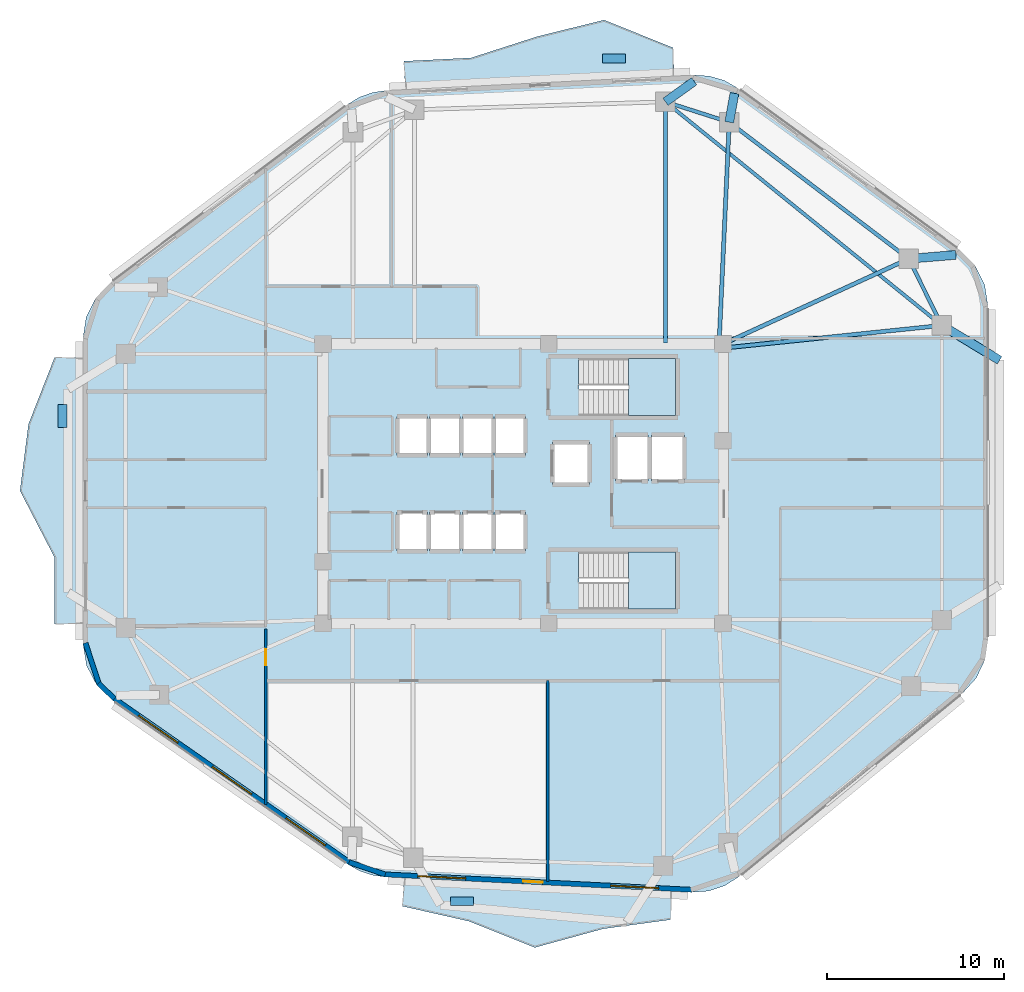
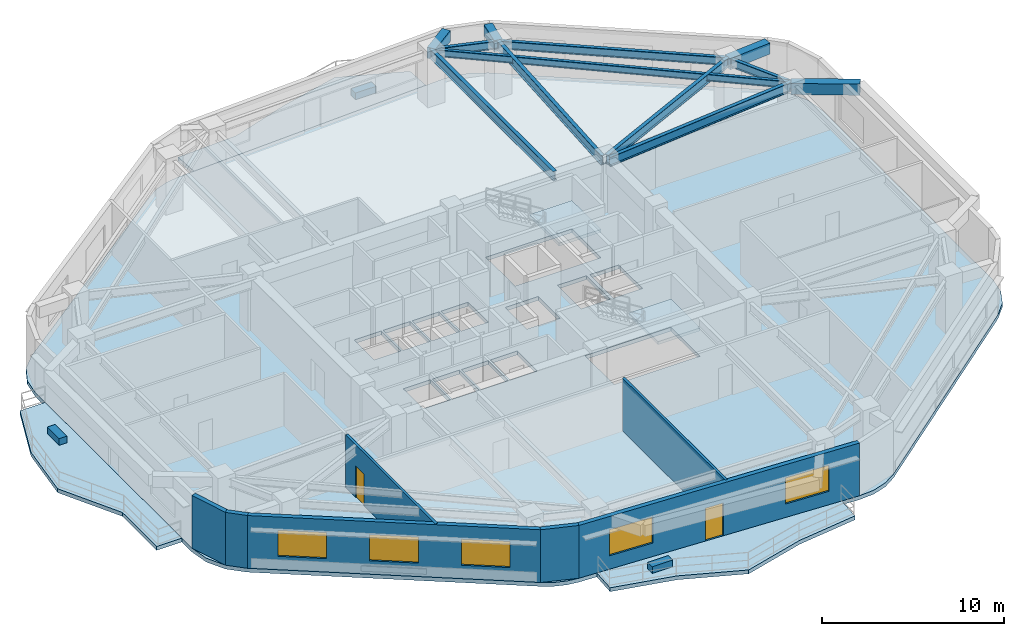
# One storey, part 2 of 9: 12 beams, 7 walls, 6 slabs, 5 windows, 3 plates, 2 doors, 7 openings, 2 elements without a shape of their own.
"""IFC4 building model written with IfcOpenShell, lengths in metres."""

from ifc_helpers import new_model, si_unit, direction, frame, frame_2d, origin, origin_2d, place, context, subcontext, project, spatial, polyline, rectangle, i_section, outline, extrude, material, layer, layer_set, material_profile, profile_set, type_object, element, fill, aggregate, save


model = new_model("IFC4")

# Units and contexts
model_context = context("Model", 3, precision=1e-05, world=origin(), true_north=direction((0.0, 1.0)))
body_context = subcontext(model_context, "Body", "Model", "MODEL_VIEW")
ifc_project = project(units=[si_unit("LENGTHUNIT", "METRE"), si_unit("AREAUNIT", "SQUARE_METRE"), si_unit("VOLUMEUNIT", "CUBIC_METRE"), si_unit("PLANEANGLEUNIT", "RADIAN"), si_unit("MASSUNIT", "GRAM", prefix="KILO")], contexts=[model_context])

# Site, building, storey
site_placement = place(None, origin())
site = spatial("IfcSite", under=ifc_project, at=site_placement, CompositionType="ELEMENT")
building_placement = place(site_placement, origin())
building = spatial("IfcBuilding", under=site, at=building_placement, Name="Zulverin Broadcast Headquarters", CompositionType="ELEMENT")
storey_placement = place(building_placement, frame((0.0, 0.0, 144.0)))
storey = spatial("IfcBuildingStorey", under=building, at=storey_placement, Name="L36", CompositionType="ELEMENT", Elevation=144.0)

# Beams
ifc_material_1 = material(Name="Concrete C40/50", Category="concrete")
ifc_material_profile_1 = material_profile(ifc_material_1, rectangle(XDim=0.5, YDim=0.75, at=origin_2d()), Name="Concrete C40/50", Category="concrete")
ifc_profile_set_1 = profile_set([ifc_material_profile_1], Name="Concrete C40/50")
beam_type_1 = type_object("IfcBeamType", Name="BM-RC-500x750", PredefinedType="BEAM", material=ifc_profile_set_1)
beam_1_placement = place(storey_placement, frame((58.738037109375, 37.877685546875, 3.1650390625), z_axis=(0.996584209885, 0.082582762173, 0.0), x_axis=(-0.082582762173, 0.996584209885, 0.0)))
element("IfcBeam", 1, at=beam_1_placement, inside=storey, type_object=beam_type_1, Name="L37 Plate Overhang Back-Spanned Beam OVR-07", PredefinedType="BEAM", context=body_context, shape_type="SweptSolid", body=[
    extrude(rectangle(XDim=0.5, YDim=0.75, at=origin_2d()), origin(), (0.0, 0.0, 1.0), 2.66357421875),
])
beam_2_placement = place(storey_placement, frame((48.62158203125, 45.574951171875, 3.1650390625), z_axis=(0.176183868408, 0.984357274831, 0.0), x_axis=(-0.984357274831, 0.176183868408, 0.0)))
element("IfcBeam", 2, at=beam_2_placement, inside=storey, type_object=beam_type_1, Name="L37 Plate Overhang Back-Spanned Beam OVR-08", PredefinedType="BEAM", context=body_context, shape_type="SweptSolid", body=[
    extrude(rectangle(XDim=0.5, YDim=0.75, at=origin_2d()), origin(), (0.0, 0.0, 1.0), 1.654541015625),
])
beam_3_placement = place(storey_placement, frame((45.027587890625, 46.7236328125, 3.1650390625), z_axis=(0.812802582843, 0.582539235867, 0.0), x_axis=(-0.582539235867, 0.812802582843, 0.0)))
element("IfcBeam", 3, at=beam_3_placement, inside=storey, type_object=beam_type_1, Name="L37 Plate Overhang Back-Spanned Beam OVR-09", PredefinedType="BEAM", context=body_context, shape_type="SweptSolid", body=[
    extrude(rectangle(XDim=0.5, YDim=0.75, at=origin_2d()), origin(), (0.0, 0.0, 1.0), 1.987060546875),
])
beam_4_placement = place(storey_placement, frame((60.60009765625, 34.12158203125, 3.1650390625), z_axis=(0.856590210266, -0.515997298128, 0.0), x_axis=(0.515997298128, 0.856590210266, 0.0)))
element("IfcBeam", 4, at=beam_4_placement, inside=storey, type_object=beam_type_1, Name="L37 Balcony Column-Framed Cantilever BAL_E-2", PredefinedType="BEAM", context=body_context, shape_type="SweptSolid", body=[
    extrude(rectangle(XDim=0.5, YDim=0.75, at=origin_2d()), origin(), (0.0, 0.0, 1.0), 3.7998046875),
])
ifc_material_2 = material(Name="Structural steel S355JR", Category="steel")
ifc_material_profile_2 = material_profile(ifc_material_2, i_section(OverallWidth=0.19287109375, OverallDepth=0.46728515625, WebThickness=0.011474609375, FlangeThickness=0.01953125, at=origin_2d()), Name="Structural steel S355JR", Category="steel")
ifc_profile_set_2 = profile_set([ifc_material_profile_2], Name="Structural steel S355JR")
beam_type_2 = type_object("IfcBeamType", Name="BM-UB-457", PredefinedType="JOIST", material=ifc_profile_set_2)
beam_5_placement = place(storey_placement, frame((60.60009765625, 34.12158203125, 3.306396484375), z_axis=(-0.777349017335, 0.629069555175, 0.0), x_axis=(-0.629069555175, -0.777349017335, 0.0)))
element("IfcBeam", 5, at=beam_5_placement, inside=storey, type_object=beam_type_2, Name="L36 Chordal Floor Joist J-02", PredefinedType="JOIST", context=body_context, shape_type="SweptSolid", body=[
    extrude(i_section(OverallWidth=0.19287109375, OverallDepth=0.46728515625, WebThickness=0.011474609375, FlangeThickness=0.01953125, at=origin_2d()), origin(), (0.0, 0.0, 1.0), 20.032958984375),
])
ifc_material_profile_3 = material_profile(ifc_material_2, i_section(OverallWidth=0.2119140625, OverallDepth=0.54443359375, WebThickness=0.0126953125, FlangeThickness=0.021240234375, at=origin_2d()), Name="Structural steel S355JR", Category="steel")
ifc_profile_set_3 = profile_set([ifc_material_profile_3], Name="Structural steel S355JR")
beam_type_3 = type_object("IfcBeamType", Name="BM-UB-533", PredefinedType="SPANDREL", material=ifc_profile_set_3)
beam_6_placement = place(storey_placement, frame((60.60009765625, 34.12158203125, 3.267578125), z_axis=(-0.444159471033, 0.895947746407, 0.0), x_axis=(-0.895947746407, -0.444159471033, 0.0)))
element("IfcBeam", 6, at=beam_6_placement, inside=storey, type_object=beam_type_3, Name="L36 Perimeter Spandrel Beam SP-06", PredefinedType="SPANDREL", context=body_context, shape_type="SweptSolid", body=[
    extrude(i_section(OverallWidth=0.2119140625, OverallDepth=0.54443359375, WebThickness=0.0126953125, FlangeThickness=0.021240234375, at=origin_2d()), origin(), (0.0, 0.0, 1.0), 4.1923828125),
])
beam_7_placement = place(storey_placement, frame((58.738037109375, 37.877685546875, 3.267578125), z_axis=(-0.795830102505, 0.60551998146, 0.0), x_axis=(-0.60551998146, -0.795830102505, 0.0)))
element("IfcBeam", 7, at=beam_7_placement, inside=storey, type_object=beam_type_3, Name="L36 Perimeter Spandrel Beam SP-07", PredefinedType="SPANDREL", context=body_context, shape_type="SweptSolid", body=[
    extrude(i_section(OverallWidth=0.2119140625, OverallDepth=0.54443359375, WebThickness=0.0126953125, FlangeThickness=0.021240234375, at=origin_2d()), origin(), (0.0, 0.0, 1.0), 12.7119140625),
])
beam_8_placement = place(storey_placement, frame((48.62158203125, 45.574951171875, 3.267578125), z_axis=(-0.952531523781, 0.304439971428, 0.0), x_axis=(-0.304439971428, -0.952531523781, 0.0)))
element("IfcBeam", 8, at=beam_8_placement, inside=storey, type_object=beam_type_3, Name="L36 Perimeter Spandrel Beam SP-08", PredefinedType="SPANDREL", context=body_context, shape_type="SweptSolid", body=[
    extrude(i_section(OverallWidth=0.2119140625, OverallDepth=0.54443359375, WebThickness=0.0126953125, FlangeThickness=0.021240234375, at=origin_2d()), origin(), (0.0, 0.0, 1.0), 3.773193359375),
])
ifc_material_profile_4 = material_profile(ifc_material_2, i_section(OverallWidth=0.230224609375, OverallDepth=0.6171875, WebThickness=0.01318359375, FlangeThickness=0.022216796875, at=origin_2d()), Name="Structural steel S355JR", Category="steel")
ifc_profile_set_4 = profile_set([ifc_material_profile_4], Name="Structural steel S355JR")
beam_type_4 = type_object("IfcBeamType", Name="BM-UB-610", PredefinedType="BEAM", material=ifc_profile_set_4)
beam_9_placement = place(storey_placement, frame((48.324951171875, 32.85009765625, 3.2314453125), z_axis=(0.994678169641, 0.103030766473, 0.0), x_axis=(-0.103030766473, 0.994678169641, 0.0)))
element("IfcBeam", 9, at=beam_9_placement, inside=storey, type_object=beam_type_4, Name="L36 Radial Primary Floor Beam RB-06", PredefinedType="BEAM", context=body_context, shape_type="SweptSolid", body=[
    extrude(i_section(OverallWidth=0.230224609375, OverallDepth=0.6171875, WebThickness=0.01318359375, FlangeThickness=0.022216796875, at=origin_2d()), origin(), (0.0, 0.0, 1.0), 12.3408203125),
])
beam_10_placement = place(storey_placement, frame((48.27490234375, 33.074951171875, 3.2314453125), z_axis=(0.90883007293, 0.417166511764, 0.0), x_axis=(-0.417166511764, 0.90883007293, 0.0)))
element("IfcBeam", 10, at=beam_10_placement, inside=storey, type_object=beam_type_4, Name="L36 Radial Primary Floor Beam RB-07", PredefinedType="BEAM", context=body_context, shape_type="SweptSolid", body=[
    extrude(i_section(OverallWidth=0.230224609375, OverallDepth=0.6171875, WebThickness=0.01318359375, FlangeThickness=0.022216796875, at=origin_2d()), origin(), (0.0, 0.0, 1.0), 11.5126953125),
])
beam_11_placement = place(storey_placement, frame((48.050048828125, 33.125, 3.2314453125), z_axis=(0.045858166026, 0.998947960911, 0.0), x_axis=(-0.998947960911, 0.045858166026, 0.0)))
element("IfcBeam", 11, at=beam_11_placement, inside=storey, type_object=beam_type_4, Name="L36 Radial Primary Floor Beam RB-08", PredefinedType="BEAM", context=body_context, shape_type="SweptSolid", body=[
    extrude(i_section(OverallWidth=0.230224609375, OverallDepth=0.6171875, WebThickness=0.01318359375, FlangeThickness=0.022216796875, at=origin_2d()), origin(), (0.0, 0.0, 1.0), 12.463134765625),
])
beam_12_placement = place(storey_placement, frame((45.027587890625, 33.125, 3.2314453125), z_axis=(0.0, 1.0, 0.0), x_axis=(-1.0, 0.0, 0.0)))
element("IfcBeam", 12, at=beam_12_placement, inside=storey, type_object=beam_type_4, Name="L36 Radial Primary Floor Beam RB-09", PredefinedType="BEAM", context=body_context, shape_type="SweptSolid", body=[
    extrude(i_section(OverallWidth=0.230224609375, OverallDepth=0.6171875, WebThickness=0.01318359375, FlangeThickness=0.022216796875, at=origin_2d()), origin(), (0.0, 0.0, 1.0), 13.5986328125),
])

# Plates
ifc_material_3 = material(Name="Precast concrete C45/55", Category="concrete")
ifc_layer_1 = layer(ifc_material_3, 0.449951171875, Name="Precast concrete C45/55", Category="concrete")
ifc_layer_set_1 = layer_set([ifc_layer_1], Name="Precast concrete C45/55")
plate_type = type_object("IfcPlateType", Name="PT-01_PRECAST_GFRC_TREE_PLANTER", PredefinedType="USERDEFINED", material=ifc_layer_set_1)
for number, where, z_axis, x_axis, name in (
    (13, (42.133056640625, 49.156982421875, -0.0048828125), (0.0, 0.0, 1.0), (1.0, 0.0, 0.0), "L36 Precast GFRC Tree Planter BAL_N"),
    (14, (11.050048828125, 29.011962890625, -0.0048828125), (0.0, 0.0, 1.0), (0.0, 1.0, 0.0), "L36 Precast GFRC Tree Planter BAL_W"),
    (15, (33.553955078125, 1.673583984375, -0.0048828125), (0.0, 0.0, 1.0), (1.0, 0.0, 0.0), "L36 Precast GFRC Tree Planter BAL_S"),
):
    element("IfcPlate", number, at=place(storey_placement, frame(where, z_axis=z_axis, x_axis=x_axis)), inside=storey, type_object=plate_type, Name=name, ObjectType="PLANTER", PredefinedType="USERDEFINED", context=body_context, shape_type="SweptSolid", body=[
        extrude(rectangle(XDim=1.300048828125, YDim=0.5, at=origin_2d()), origin(), (0.0, 0.0, 1.0), 0.449951171875),
    ])

# Slabs
ifc_layer_2 = layer(ifc_material_1, 0.260009765625, Name="Concrete C40/50", Category="concrete")
ifc_layer_set_2 = layer_set([ifc_layer_2], Name="Concrete C40/50")
slab_type_1 = type_object("IfcSlabType", Name="SLB-BAL-260", PredefinedType="FLOOR", material=ifc_layer_set_2)
slab_1_placement = place(storey_placement, frame((0.0, 0.0, -0.260009765625)))
element("IfcSlab", 16, at=slab_1_placement, inside=storey, type_object=slab_type_1, Name="L36 Cantilevered Planted Balcony Slab BAL_N", PredefinedType="FLOOR", context=body_context, shape_type="SweptSolid", body=[
    extrude(outline(polyline([(30.364013671875, 47.4150390625), (45.526611328125, 48.17578125), (45.4462890625, 49.773681640625), (41.56787109375, 51.335205078125), (37.814208984375, 50.4072265625), (34.074462890625, 49.203125), (30.28369140625, 49.012939453125), (30.364013671875, 47.4150390625)])), origin(), (0.0, 0.0, 1.0), 0.260009765625),
])
slab_2_placement = place(storey_placement, frame((0.0, 0.0, -0.260009765625)))
element("IfcSlab", 17, at=slab_2_placement, inside=storey, type_object=slab_type_1, Name="L36 Cantilevered Planted Balcony Slab BAL_W", PredefinedType="FLOOR", context=body_context, shape_type="SweptSolid", body=[
    extrude(outline(polyline([(12.199951171875, 17.286865234375), (12.199951171875, 32.31884765625), (10.60009765625, 32.31884765625), (9.129150390625, 28.560791015625), (8.64990234375, 24.802978515625), (10.60009765625, 21.044921875), (10.60009765625, 17.286865234375), (12.199951171875, 17.286865234375)])), origin(), (0.0, 0.0, 1.0), 0.260009765625),
])
slab_3_placement = place(storey_placement, frame((0.0, 0.0, -0.260009765625)))
element("IfcSlab", 18, at=slab_3_placement, inside=storey, type_object=slab_type_1, Name="L36 Cantilevered Planted Balcony Slab BAL_S", PredefinedType="FLOOR", context=body_context, shape_type="SweptSolid", body=[
    extrude(outline(polyline([(45.400390625, 2.230712890625), (30.28662109375, 2.989013671875), (30.206298828125, 1.390869140625), (33.951904296875, 0.54345703125), (37.66552734375, -0.935791015625), (41.50634765625, 0.1162109375), (45.320068359375, 0.632568359375), (45.400390625, 2.230712890625)])), origin(), (0.0, 0.0, 1.0), 0.260009765625),
])

# Stair, slab
stair_type = type_object("IfcStairType", Name="ST-CORE-1500", PredefinedType="HALF_TURN_STAIR", material=ifc_material_1)
stair_1_placement = place(storey_placement, origin())
stair_1 = element("IfcStair", 19, at=stair_1_placement, inside=storey, type_object=stair_type, Name="L36 Core Exit Stair ST-1", PredefinedType="HALF_TURN_STAIR")
ifc_layer_3 = layer(ifc_material_1, 0.199951171875, Name="Concrete C40/50", Category="concrete")
ifc_layer_set_3 = layer_set([ifc_layer_3], Name="Concrete C40/50")
slab_type_2 = type_object("IfcSlabType", Name="SLB-ST-LND200", PredefinedType="LANDING", material=ifc_layer_set_3)
slab_4_placement = place(storey_placement, frame((0.0, 0.0, 1.699951171875)))
slab_4 = element("IfcSlab", 20, at=slab_4_placement, type_object=slab_type_2, Name="ST-1 landing 1", PredefinedType="LANDING", context=body_context, shape_type="SweptSolid", body=[
    extrude(outline(polyline([(42.929931640625, 29.050048828125), (45.60009765625, 29.050048828125), (45.60009765625, 32.25), (42.929931640625, 32.25), (42.929931640625, 29.050048828125)])), origin(), (0.0, 0.0, 1.0), 0.199951171875),
])
aggregate(stair_1, [slab_4])

stair_2_placement = place(storey_placement, origin())
stair_2 = element("IfcStair", 21, at=stair_2_placement, inside=storey, type_object=stair_type, Name="L36 Core Exit Stair ST-2", PredefinedType="HALF_TURN_STAIR")
slab_5_placement = place(storey_placement, frame((0.0, 0.0, 1.699951171875)))
slab_5 = element("IfcSlab", 22, at=slab_5_placement, type_object=slab_type_2, Name="ST-2 landing 1", PredefinedType="LANDING", context=body_context, shape_type="SweptSolid", body=[
    extrude(outline(polyline([(42.929931640625, 18.14990234375), (45.60009765625, 18.14990234375), (45.60009765625, 21.35009765625), (42.929931640625, 21.35009765625), (42.929931640625, 18.14990234375)])), origin(), (0.0, 0.0, 1.0), 0.199951171875),
])
aggregate(stair_2, [slab_5])

# Slab
ifc_layer_4 = layer(ifc_material_1, 0.260009765625, Name="Concrete C40/50", Category="concrete")
ifc_layer_set_4 = layer_set([ifc_layer_4], Name="Concrete C40/50")
slab_type_3 = type_object("IfcSlabType", Name="SLB-TWR-260", PredefinedType="FLOOR", material=ifc_layer_set_4)
slab_6_placement = place(storey_placement, frame((0.0, 0.0, -0.260009765625)))
element("IfcSlab", 23, at=slab_6_placement, inside=storey, type_object=slab_type_3, Name="L36 Main Structural Floor Slab", PredefinedType="FLOOR", context=body_context, shape_type="SweptSolid", body=[
    extrude(outline(polyline([(27.155029296875, 3.73828125), (27.785400390625, 3.381591796875), (28.470947265625, 3.147216796875), (29.18798828125, 3.0439453125), (46.498779296875, 2.175537109375), (47.45263671875, 2.2451171875), (48.36083984375, 2.544677734375), (49.168701171875, 3.05615234375), (61.7744140625, 13.40380859375), (62.54296875, 14.251708984375), (63.031982421875, 15.286376953125), (63.199951171875, 16.418212890625), (63.199951171875, 35.22998046875), (63.010009765625, 36.4326171875), (62.458251953125, 37.517822265625), (61.598876953125, 38.38037109375), (49.119384765625, 47.486083984375), (48.351806640625, 47.922607421875), (47.506103515625, 48.175048828125), (46.625, 48.230712890625), (29.265380859375, 47.35986328125), (28.502197265625, 47.2451171875), (27.776611328125, 46.982421875), (27.116943359375, 46.581787109375), (13.756103515625, 36.5361328125), (12.919921875, 35.6767578125), (12.384521484375, 34.603759765625), (12.199951171875, 33.4189453125), (12.199951171875, 16.18701171875), (12.399169921875, 14.956787109375), (12.975830078125, 13.852294921875), (13.87158203125, 12.986083984375), (27.155029296875, 3.73828125)]), holes=[polyline([(40.155029296875, 30.75), (40.130126953125, 30.75), (40.130126953125, 32.25), (45.60009765625, 32.25), (45.60009765625, 29.050048828125), (40.155029296875, 29.050048828125), (40.155029296875, 30.75)]), polyline([(40.155029296875, 19.85009765625), (40.130126953125, 19.85009765625), (40.130126953125, 21.35009765625), (45.60009765625, 21.35009765625), (45.60009765625, 18.14990234375), (40.155029296875, 18.14990234375), (40.155029296875, 19.85009765625)]), polyline([(29.89990234375, 21.39990234375), (31.6201171875, 21.39990234375), (31.6201171875, 23.60009765625), (29.89990234375, 23.60009765625), (29.89990234375, 21.39990234375)]), polyline([(31.739990234375, 21.39990234375), (33.4599609375, 21.39990234375), (33.4599609375, 23.60009765625), (31.739990234375, 23.60009765625), (31.739990234375, 21.39990234375)]), polyline([(33.580078125, 21.39990234375), (35.300048828125, 21.39990234375), (35.300048828125, 23.60009765625), (33.580078125, 23.60009765625), (33.580078125, 21.39990234375)]), polyline([(35.419921875, 21.39990234375), (37.139892578125, 21.39990234375), (37.139892578125, 23.60009765625), (35.419921875, 23.60009765625), (35.419921875, 21.39990234375)]), polyline([(29.89990234375, 26.800048828125), (31.6201171875, 26.800048828125), (31.6201171875, 29.0), (29.89990234375, 29.0), (29.89990234375, 26.800048828125)]), polyline([(31.739990234375, 26.800048828125), (33.4599609375, 26.800048828125), (33.4599609375, 29.0), (31.739990234375, 29.0), (31.739990234375, 26.800048828125)]), polyline([(33.580078125, 26.800048828125), (35.300048828125, 26.800048828125), (35.300048828125, 29.0), (33.580078125, 29.0), (33.580078125, 26.800048828125)]), polyline([(35.419921875, 26.800048828125), (37.139892578125, 26.800048828125), (37.139892578125, 29.0), (35.419921875, 29.0), (35.419921875, 26.800048828125)]), polyline([(42.199951171875, 25.35009765625), (44.050048828125, 25.35009765625), (44.050048828125, 27.949951171875), (42.199951171875, 27.949951171875), (42.199951171875, 25.35009765625)]), polyline([(44.25, 25.35009765625), (46.10009765625, 25.35009765625), (46.10009765625, 27.949951171875), (44.25, 27.949951171875), (44.25, 25.35009765625)]), polyline([(38.64990234375, 25.14990234375), (40.75, 25.14990234375), (40.75, 27.550048828125), (38.64990234375, 27.550048828125), (38.64990234375, 25.14990234375)])]), origin(), (0.0, 0.0, 1.0), 0.260009765625),
])

# Wall, openings, door, windows
ifc_material_4 = material(Name="Insulated pale-metal clad concrete spandrel C40/50", Category="concrete")
ifc_layer_5 = layer(ifc_material_4, 0.280029296875, Name="Insulated pale-metal clad concrete spandrel C40/50", Category="concrete")
ifc_layer_set_5 = layer_set([ifc_layer_5], Name="Insulated pale-metal clad concrete spandrel C40/50")
wall_type_1 = type_object("IfcWallType", Name="WL-EXT-280", PredefinedType="STANDARD", material=ifc_layer_set_5)
wall_1_placement = place(storey_placement, frame((29.19482421875, 3.183837890625, 0.0), z_axis=(0.0, 0.0, 1.0), x_axis=(0.998743400978, -0.05011605535, 0.0)))
wall_1 = element("IfcWall", 24, at=wall_1_placement, inside=storey, type_object=wall_type_1, Name="L36 Pale-Metal Clad Spandrel Wall 1", PredefinedType="STANDARD", context=body_context, shape_type="SweptSolid", body=[
    extrude(rectangle(XDim=17.332763671875, YDim=0.280029296875, at=frame_2d((8.66650390625, 0.0))), origin(), (0.0, 0.0, 1.0), 3.5400390625),
])
opening_1_placement = place(wall_1_placement, frame((7.81640625, 0.0, 0.0)))
opening_1 = element("IfcOpeningElement", 25, at=opening_1_placement, cuts=wall_1, Name="Opening D-L36-TR1", PredefinedType="OPENING", context=body_context, shape_type="SweptSolid", body=[
    extrude(rectangle(XDim=1.10009765625, YDim=2.199951171875, at=frame_2d((0.550048828125, 1.10009765625))), frame((0.0, 0.14990234375, 0.0), z_axis=(0.0, -1.0, 0.0), x_axis=(1.0, 0.0, 0.0)), (0.0, 0.0, 1.0), 0.300048828125),
])
opening_2_placement = place(wall_1_placement, frame((1.8720703125, 0.0, 0.89990234375)))
opening_2 = element("IfcOpeningElement", 26, at=opening_2_placement, cuts=wall_1, Name="Opening W-L36-E11", PredefinedType="OPENING", context=body_context, shape_type="SweptSolid", body=[
    extrude(rectangle(XDim=2.699951171875, YDim=1.75, at=frame_2d((1.35009765625, 0.875))), frame((0.0, 0.14990234375, 0.0), z_axis=(0.0, -1.0, 0.0), x_axis=(1.0, 0.0, 0.0)), (0.0, 0.0, 1.0), 0.300048828125),
])
opening_3_placement = place(wall_1_placement, frame((12.760498046875, 0.0, 0.89990234375)))
opening_3 = element("IfcOpeningElement", 27, at=opening_3_placement, cuts=wall_1, Name="Opening W-L36-E12", PredefinedType="OPENING", context=body_context, shape_type="SweptSolid", body=[
    extrude(rectangle(XDim=2.699951171875, YDim=1.75, at=frame_2d((1.35009765625, 0.875))), frame((0.0, 0.14990234375, 0.0), z_axis=(0.0, -1.0, 0.0), x_axis=(1.0, 0.0, 0.0)), (0.0, 0.0, 1.0), 0.300048828125),
])
ifc_material_5 = material(Name="Thermally broken aluminium glazed", Category="aluminium")
door_type_1 = type_object("IfcDoorType", Name="DR-TERR-1100", OperationType="SINGLE_SWING_RIGHT", PredefinedType="DOOR", material=ifc_material_5)
door_1_placement = place(opening_1_placement, origin())
door_1 = element("IfcDoor", 28, at=door_1_placement, inside=storey, type_object=door_type_1, Name="L36 Planted Terrace Glazed Access Door 1", OperationType="SINGLE_SWING_RIGHT", OverallHeight=2.199951171875, OverallWidth=1.10009765625, PredefinedType="DOOR", context=body_context, shape_type="SweptSolid", body=[
    extrude(rectangle(XDim=1.10009765625, YDim=2.199951171875, at=frame_2d((0.550048828125, 1.10009765625))), frame((0.0, 0.02490234375, 0.0), z_axis=(0.0, -1.0, 0.0), x_axis=(1.0, 0.0, 0.0)), (0.0, 0.0, 1.0), 0.050048828125),
])
fill(opening_1, door_1)
ifc_material_6 = material(Name="Pale anodized aluminium frame with solar-control low-E double glazing", Category="aluminium")
window_type = type_object("IfcWindowType", Name="WIN-TWR-2700", PartitioningType="SINGLE_PANEL", PredefinedType="WINDOW", material=ifc_material_6)
window_1_placement = place(opening_2_placement, origin())
window_1 = element("IfcWindow", 29, at=window_1_placement, inside=storey, type_object=window_type, Name="L36 Ribbon Glazing Window 1 1", OverallHeight=1.75, OverallWidth=2.699951171875, PartitioningType="SINGLE_PANEL", PredefinedType="WINDOW", context=body_context, shape_type="SweptSolid", body=[
    extrude(rectangle(XDim=2.699951171875, YDim=1.75, at=frame_2d((1.35009765625, 0.875))), frame((0.0, 0.030029296875, 0.0), z_axis=(0.0, -1.0, 0.0), x_axis=(1.0, 0.0, 0.0)), (0.0, 0.0, 1.0), 0.06005859375),
])
fill(opening_2, window_1)
window_2_placement = place(opening_3_placement, origin())
window_2 = element("IfcWindow", 30, at=window_2_placement, inside=storey, type_object=window_type, Name="L36 Ribbon Glazing Window 1 2", OverallHeight=1.75, OverallWidth=2.699951171875, PartitioningType="SINGLE_PANEL", PredefinedType="WINDOW", context=body_context, shape_type="SweptSolid", body=[
    extrude(rectangle(XDim=2.699951171875, YDim=1.75, at=frame_2d((1.35009765625, 0.875))), frame((0.0, 0.030029296875, 0.0), z_axis=(0.0, -1.0, 0.0), x_axis=(1.0, 0.0, 0.0)), (0.0, 0.0, 1.0), 0.06005859375),
])
fill(opening_3, window_2)

# Wall, openings, windows
wall_2_placement = place(storey_placement, frame((13.95166015625, 13.10107421875, 0.0), z_axis=(0.0, 0.0, 1.0), x_axis=(0.820698239491, -0.571361881558, 0.0)))
wall_2 = element("IfcWall", 31, at=wall_2_placement, inside=storey, type_object=wall_type_1, Name="L36 Pale-Metal Clad Spandrel Wall 8", PredefinedType="STANDARD", context=body_context, shape_type="SweptSolid", body=[
    extrude(rectangle(XDim=16.185546875, YDim=0.280029296875, at=frame_2d((8.0927734375, 0.0))), origin(), (0.0, 0.0, 1.0), 3.5400390625),
])
opening_4_placement = place(wall_2_placement, frame((1.680908203125, 0.0, 0.89990234375)))
opening_4 = element("IfcOpeningElement", 32, at=opening_4_placement, cuts=wall_2, Name="Opening W-L36-E81", PredefinedType="OPENING", context=body_context, shape_type="SweptSolid", body=[
    extrude(rectangle(XDim=2.699951171875, YDim=1.75, at=frame_2d((1.35009765625, 0.875))), frame((0.0, 0.14990234375, 0.0), z_axis=(0.0, -1.0, 0.0), x_axis=(1.0, 0.0, 0.0)), (0.0, 0.0, 1.0), 0.300048828125),
])
opening_5_placement = place(wall_2_placement, frame((6.74267578125, 0.0, 0.89990234375)))
opening_5 = element("IfcOpeningElement", 33, at=opening_5_placement, cuts=wall_2, Name="Opening W-L36-E82", PredefinedType="OPENING", context=body_context, shape_type="SweptSolid", body=[
    extrude(rectangle(XDim=2.699951171875, YDim=1.75, at=frame_2d((1.35009765625, 0.875))), frame((0.0, 0.14990234375, 0.0), z_axis=(0.0, -1.0, 0.0), x_axis=(1.0, 0.0, 0.0)), (0.0, 0.0, 1.0), 0.300048828125),
])
opening_6_placement = place(wall_2_placement, frame((11.804443359375, 0.0, 0.89990234375)))
opening_6 = element("IfcOpeningElement", 34, at=opening_6_placement, cuts=wall_2, Name="Opening W-L36-E83", PredefinedType="OPENING", context=body_context, shape_type="SweptSolid", body=[
    extrude(rectangle(XDim=2.699951171875, YDim=1.75, at=frame_2d((1.35009765625, 0.875))), frame((0.0, 0.14990234375, 0.0), z_axis=(0.0, -1.0, 0.0), x_axis=(1.0, 0.0, 0.0)), (0.0, 0.0, 1.0), 0.300048828125),
])
window_3_placement = place(opening_4_placement, origin())
window_3 = element("IfcWindow", 35, at=window_3_placement, inside=storey, type_object=window_type, Name="L36 Ribbon Glazing Window 8 1", OverallHeight=1.75, OverallWidth=2.699951171875, PartitioningType="SINGLE_PANEL", PredefinedType="WINDOW", context=body_context, shape_type="SweptSolid", body=[
    extrude(rectangle(XDim=2.699951171875, YDim=1.75, at=frame_2d((1.35009765625, 0.875))), frame((0.0, 0.030029296875, 0.0), z_axis=(0.0, -1.0, 0.0), x_axis=(1.0, 0.0, 0.0)), (0.0, 0.0, 1.0), 0.06005859375),
])
fill(opening_4, window_3)
window_4_placement = place(opening_5_placement, origin())
window_4 = element("IfcWindow", 36, at=window_4_placement, inside=storey, type_object=window_type, Name="L36 Ribbon Glazing Window 8 2", OverallHeight=1.75, OverallWidth=2.699951171875, PartitioningType="SINGLE_PANEL", PredefinedType="WINDOW", context=body_context, shape_type="SweptSolid", body=[
    extrude(rectangle(XDim=2.699951171875, YDim=1.75, at=frame_2d((1.35009765625, 0.875))), frame((0.0, 0.030029296875, 0.0), z_axis=(0.0, -1.0, 0.0), x_axis=(1.0, 0.0, 0.0)), (0.0, 0.0, 1.0), 0.06005859375),
])
fill(opening_5, window_4)
window_5_placement = place(opening_6_placement, origin())
window_5 = element("IfcWindow", 37, at=window_5_placement, inside=storey, type_object=window_type, Name="L36 Ribbon Glazing Window 8 3", OverallHeight=1.75, OverallWidth=2.699951171875, PartitioningType="SINGLE_PANEL", PredefinedType="WINDOW", context=body_context, shape_type="SweptSolid", body=[
    extrude(rectangle(XDim=2.699951171875, YDim=1.75, at=frame_2d((1.35009765625, 0.875))), frame((0.0, 0.030029296875, 0.0), z_axis=(0.0, -1.0, 0.0), x_axis=(1.0, 0.0, 0.0)), (0.0, 0.0, 1.0), 0.06005859375),
])
fill(opening_6, window_5)

# Walls
wall_3_placement = place(storey_placement, frame((12.3330078125, 16.231201171875, 0.0), z_axis=(0.0, 0.0, 1.0), x_axis=(0.315364302967, -0.94897068259, 0.0)))
element("IfcWall", 38, at=wall_3_placement, inside=storey, type_object=wall_type_1, Name="L36 Wind-Shaped Corner Spandrel Wall 7-1", PredefinedType="STANDARD", context=body_context, shape_type="SweptSolid", body=[
    extrude(rectangle(XDim=2.460205078125, YDim=0.280029296875, at=frame_2d((1.22998046875, 0.0))), origin(), (0.0, 0.0, 1.0), 3.5400390625),
])
wall_4_placement = place(storey_placement, frame((13.0732421875, 13.952880859375, 0.0), z_axis=(0.0, 0.0, 1.0), x_axis=(0.718958999036, -0.695052485576, 0.0)))
element("IfcWall", 39, at=wall_4_placement, inside=storey, type_object=wall_type_1, Name="L36 Wind-Shaped Corner Spandrel Wall 7-2", PredefinedType="STANDARD", context=body_context, shape_type="SweptSolid", body=[
    extrude(rectangle(XDim=1.245849609375, YDim=0.280029296875, at=frame_2d((0.623046875, 0.0))), origin(), (0.0, 0.0, 1.0), 3.5400390625),
])
wall_5_placement = place(storey_placement, frame((27.2001953125, 3.870849609375, 0.0), z_axis=(0.0, 0.0, 1.0), x_axis=(0.946327814955, -0.323208395068, 0.0)))
element("IfcWall", 40, at=wall_5_placement, inside=storey, type_object=wall_type_1, Name="L36 Wind-Shaped Corner Spandrel Wall 8-1", PredefinedType="STANDARD", context=body_context, shape_type="SweptSolid", body=[
    extrude(rectangle(XDim=2.148193359375, YDim=0.280029296875, at=frame_2d((1.07421875, 0.0))), origin(), (0.0, 0.0, 1.0), 3.5400390625),
])
ifc_material_7 = material(Name="Fire-rated gypsum stud partition", Category="gypsum")
ifc_layer_6 = layer(ifc_material_7, 0.14990234375, Name="Fire-rated gypsum stud partition", Category="gypsum")
ifc_layer_set_6 = layer_set([ifc_layer_6], Name="Fire-rated gypsum stud partition")
wall_type_2 = type_object("IfcWallType", Name="WL-PART-150", PredefinedType="PARTITIONING", material=ifc_layer_set_6)
wall_6_placement = place(storey_placement, frame((38.39990234375, 2.786865234375, 0.0), z_axis=(0.0, 0.0, 1.0), x_axis=(0.0, 1.0, 0.0)))
element("IfcWall", 41, at=wall_6_placement, inside=storey, type_object=wall_type_2, Name="L36 Room Partition Wall RP-02", PredefinedType="PARTITIONING", context=body_context, shape_type="SweptSolid", body=[
    extrude(rectangle(XDim=11.313232421875, YDim=0.14990234375, at=frame_2d((5.65673828125, 0.0))), origin(), (0.0, 0.0, 1.0), 3.5400390625),
])

# Wall, opening, door
wall_7_placement = place(storey_placement, frame((22.5, 7.119140625, 0.0), z_axis=(0.0, 0.0, 1.0), x_axis=(0.0, 1.0, 0.0)))
wall_7 = element("IfcWall", 42, at=wall_7_placement, inside=storey, type_object=wall_type_2, Name="L36 Gallery Partition Wall CG-05", PredefinedType="PARTITIONING", context=body_context, shape_type="SweptSolid", body=[
    extrude(rectangle(XDim=9.880859375, YDim=0.14990234375, at=frame_2d((4.9404296875, 0.0))), origin(), (0.0, 0.0, 1.0), 3.5400390625),
])
opening_7_placement = place(wall_7_placement, frame((7.86083984375, 0.0, 0.0)))
opening_7 = element("IfcOpeningElement", 43, at=opening_7_placement, cuts=wall_7, Name="Opening D-L36-05", PredefinedType="OPENING", context=body_context, shape_type="SweptSolid", body=[
    extrude(rectangle(XDim=0.89990234375, YDim=2.10009765625, at=frame_2d((0.449951171875, 1.050048828125))), frame((0.0, 0.0849609375, 0.0), z_axis=(0.0, -1.0, 0.0), x_axis=(1.0, 0.0, 0.0)), (0.0, 0.0, 1.0), 0.169921875),
])
ifc_material_8 = material(Name="Fire-rated hardwood veneer timber leaf", Category="wood")
door_type_2 = type_object("IfcDoorType", Name="DR-ROOM-900", OperationType="SINGLE_SWING_RIGHT", PredefinedType="DOOR", material=ifc_material_8)
door_2_placement = place(opening_7_placement, origin())
door_2 = element("IfcDoor", 44, at=door_2_placement, inside=storey, type_object=door_type_2, Name="L36 Meeting Room Door", OperationType="SINGLE_SWING_RIGHT", OverallHeight=2.10009765625, OverallWidth=0.89990234375, PredefinedType="DOOR", context=body_context, shape_type="SweptSolid", body=[
    extrude(rectangle(XDim=0.89990234375, YDim=2.10009765625, at=frame_2d((0.449951171875, 1.050048828125))), frame((0.0, 0.02490234375, 0.0), z_axis=(0.0, -1.0, 0.0), x_axis=(1.0, 0.0, 0.0)), (0.0, 0.0, 1.0), 0.050048828125),
])
fill(opening_7, door_2)

save(model, "model.ifc")
